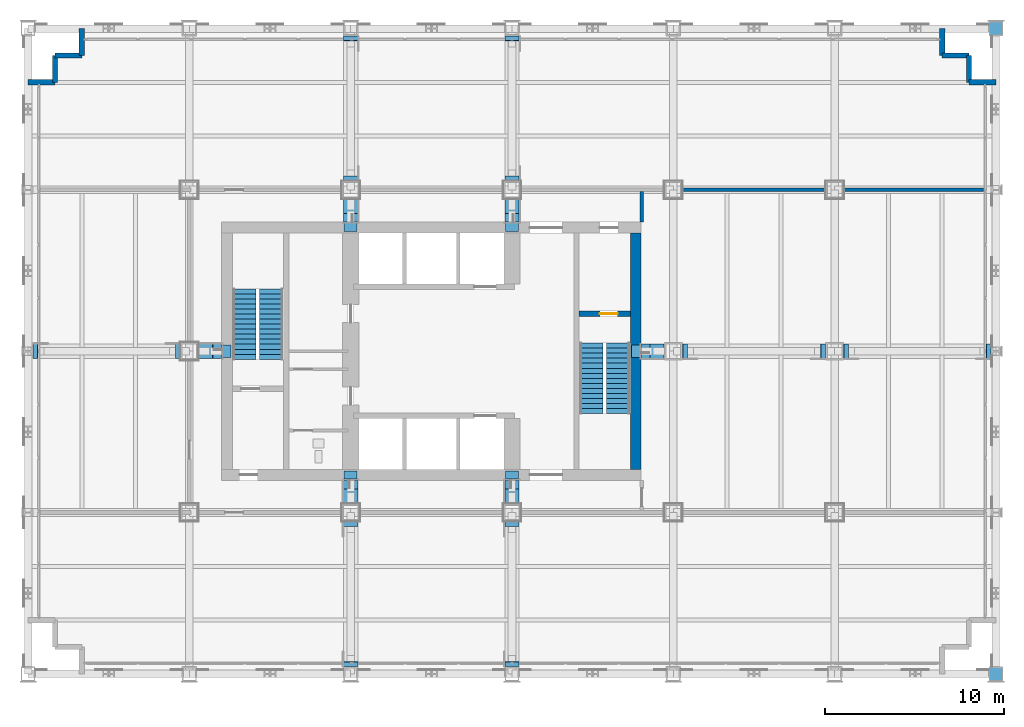
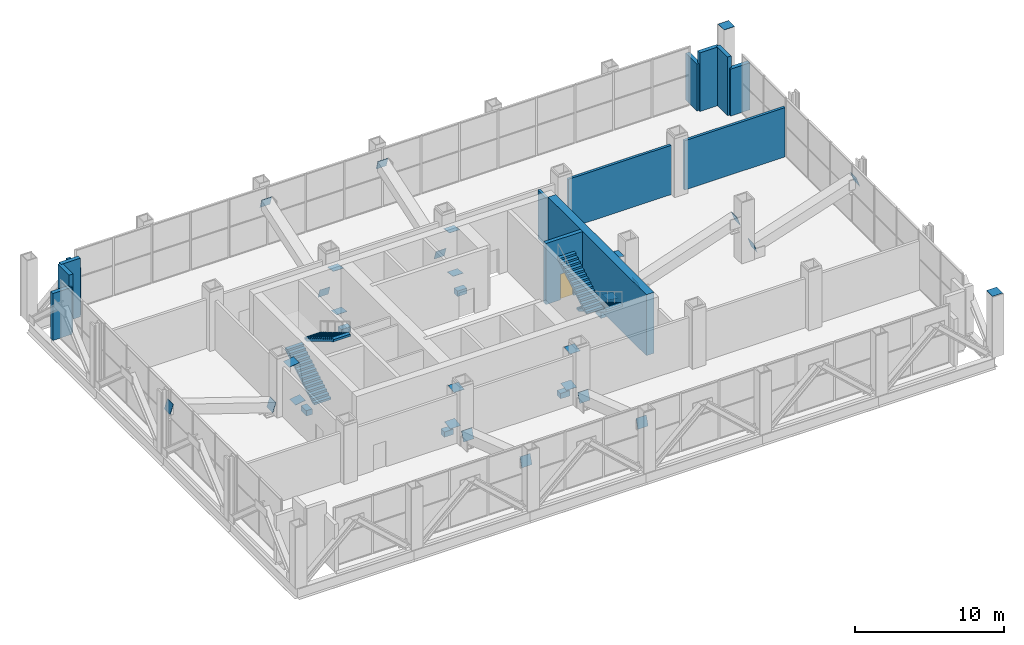
# One storey, part 17 of 19: 34 discrete accessories, 13 walls, 4 stair flights, 1 door, 1 opening, 2 elements without a shape of their own.
"""IFC4 building model written with IfcOpenShell, lengths in metres."""

from ifc_helpers import new_model, si_unit, direction, frame, frame_2d, origin, origin_2d, place, context, subcontext, project, spatial, polyline, rectangle, outline, extrude, material, layer, layer_set, type_object, element, fill, aggregate, save


model = new_model("IFC4")

# Units and contexts
model_context = context("Model", 3, precision=1e-05, world=origin(), true_north=direction((0.0, 1.0)))
body_context = subcontext(model_context, "Body", "Model", "MODEL_VIEW")
ifc_project = project(units=[si_unit("LENGTHUNIT", "METRE"), si_unit("AREAUNIT", "SQUARE_METRE"), si_unit("VOLUMEUNIT", "CUBIC_METRE"), si_unit("PLANEANGLEUNIT", "RADIAN"), si_unit("MASSUNIT", "GRAM", prefix="KILO")], contexts=[model_context])

# Site, building, storey
site_placement = place(None, origin())
site = spatial("IfcSite", under=ifc_project, at=site_placement, CompositionType="ELEMENT")
building_placement = place(site_placement, origin())
building = spatial("IfcBuilding", under=site, at=building_placement, Name="Loomwork Tower", CompositionType="ELEMENT")
storey_placement = place(building_placement, frame((0.0, 0.0, 89.199951171875)))
storey = spatial("IfcBuildingStorey", under=building, at=storey_placement, Name="L23", CompositionType="ELEMENT", Elevation=89.199951171875)

# Wall, opening, door
ifc_material_1 = material(Name="Concrete 14000 psi (97 MPa)", Category="concrete")
ifc_layer_1 = layer(ifc_material_1, 0.300048828125)
ifc_layer_set_1 = layer_set([ifc_layer_1], Name="Core shear wall 300")
wall_type_1 = type_object("IfcWallType", Name="Core shear wall 300", PredefinedType="SHEAR", material=ifc_layer_set_1)
wall_1_placement = place(storey_placement, frame((30.75, 20.10009765625, 0.0), z_axis=(0.0, 0.0, 1.0), x_axis=(1.0, 0.0, 0.0)))
wall_1 = element("IfcWall", 1, at=wall_1_placement, inside=storey, type_object=wall_type_1, Name="Stair B north wall L23", PredefinedType="SHEAR", context=body_context, shape_type="SweptSolid", body=[
    extrude(rectangle(XDim=2.85009765625, YDim=0.300048828125, at=frame_2d((1.425048828125, 0.0))), origin(), (0.0, 0.0, 1.0), 5.0),
])
opening_placement = place(wall_1_placement, frame((1.14990234375, 0.0, 0.0)))
opening = element("IfcOpeningElement", 2, at=opening_placement, cuts=wall_1, Name="Opening D4", PredefinedType="OPENING", context=body_context, shape_type="SweptSolid", body=[
    extrude(rectangle(XDim=1.0, YDim=2.10009765625, at=frame_2d((0.5, 1.050048828125))), frame((0.0, 0.159912109375, 0.0), z_axis=(0.0, -1.0, 0.0), x_axis=(1.0, 0.0, 0.0)), (0.0, 0.0, 1.0), 0.320068359375),
])
ifc_material_2 = material(Name="Hollow metal door and frame")
door_type = type_object("IfcDoorType", Name="Stair door 1000", OperationType="SINGLE_SWING_RIGHT", PredefinedType="DOOR", material=ifc_material_2)
door_placement = place(opening_placement, frame((1.0, 0.0, 0.0), z_axis=(0.0, 0.0, 1.0), x_axis=(-1.0, 0.0, 0.0)))
door = element("IfcDoor", 3, at=door_placement, inside=storey, type_object=door_type, Name="Stair B door", OperationType="SINGLE_SWING_LEFT", OverallHeight=2.10009765625, OverallWidth=1.0, PredefinedType="DOOR", context=body_context, shape_type="SweptSolid", body=[
    extrude(rectangle(XDim=1.0, YDim=2.10009765625, at=frame_2d((0.5, 1.050048828125))), frame((0.0, 0.02490234375, 0.0), z_axis=(0.0, -1.0, 0.0), x_axis=(1.0, 0.0, 0.0)), (0.0, 0.0, 1.0), 0.050048828125),
])
fill(opening, door)

# Walls
ifc_material_3 = material(Name="Concrete 14000 psi (97 MPa)", Category="concrete")
ifc_layer_2 = layer(ifc_material_3, 0.60009765625)
ifc_layer_set_2 = layer_set([ifc_layer_2], Name="Core shear wall 600")
wall_type_2 = type_object("IfcWallType", Name="Core shear wall 600", PredefinedType="SHEAR", material=ifc_layer_set_2)
wall_2_placement = place(storey_placement, frame((33.89990234375, 11.39990234375, 0.0), z_axis=(0.0, 0.0, 1.0), x_axis=(0.0, 1.0, 0.0)))
element("IfcWall", 4, at=wall_2_placement, inside=storey, type_object=wall_type_2, Name="Core wall east L23", PredefinedType="SHEAR", context=body_context, shape_type="SweptSolid", body=[
    extrude(rectangle(XDim=13.2001953125, YDim=0.60009765625, at=frame_2d((6.60009765625, 0.0))), origin(), (0.0, 0.0, 1.0), 5.0),
])
ifc_material_4 = material(Name="Gypsum board on steel studs, one-hour", Category="steel")
ifc_layer_3 = layer(ifc_material_4, 0.199951171875)
ifc_layer_set_3 = layer_set([ifc_layer_3], Name="Corridor wall 200")
wall_type_3 = type_object("IfcWallType", Name="Corridor wall 200", PredefinedType="PARTITIONING", material=ifc_layer_set_3)
wall_3_placement = place(storey_placement, frame((36.5, 27.0, 0.0), z_axis=(0.0, 0.0, 1.0), x_axis=(1.0, 0.0, 0.0)))
element("IfcWall", 5, at=wall_3_placement, inside=storey, type_object=wall_type_3, Name="Plant corridor wall N 4", PredefinedType="PARTITIONING", context=body_context, shape_type="SweptSolid", body=[
    extrude(rectangle(XDim=8.0, YDim=0.199951171875, at=frame_2d((4.0, 0.0))), origin(), (0.0, 0.0, 1.0), 4.0380859375),
])
wall_4_placement = place(storey_placement, frame((45.5, 27.0, 0.0), z_axis=(0.0, 0.0, 1.0), x_axis=(1.0, 0.0, 0.0)))
element("IfcWall", 6, at=wall_4_placement, inside=storey, type_object=wall_type_3, Name="Plant corridor wall N 5", PredefinedType="PARTITIONING", context=body_context, shape_type="SweptSolid", body=[
    extrude(rectangle(XDim=7.800048828125, YDim=0.199951171875, at=frame_2d((3.89990234375, 0.0))), origin(), (0.0, 0.0, 1.0), 4.0380859375),
])
wall_5_placement = place(storey_placement, frame((34.239990234375, 25.199951171875, 0.0), z_axis=(0.0, 0.0, 1.0), x_axis=(0.0, 1.0, 0.0)))
element("IfcWall", 7, at=wall_5_placement, inside=storey, type_object=wall_type_3, Name="Plant corridor end wall N 1", PredefinedType="PARTITIONING", context=body_context, shape_type="SweptSolid", body=[
    extrude(rectangle(XDim=1.699951171875, YDim=0.199951171875, at=frame_2d((0.85009765625, 0.0))), origin(), (0.0, 0.0, 1.0), 4.004150390625),
])
ifc_material_5 = material(Name="Limestone on concrete masonry", Category="masonry")
ifc_layer_4 = layer(ifc_material_5, 0.300048828125)
ifc_layer_set_4 = layer_set([ifc_layer_4], Name="Limestone corner wall 300")
wall_type_4 = type_object("IfcWallType", Name="Limestone corner wall 300", PredefinedType="SOLIDWALL", material=ifc_layer_set_4)
wall_6_placement = place(storey_placement, frame((54.0, 33.0, 0.0), z_axis=(0.0, 0.0, 1.0), x_axis=(-1.0, 0.0, 0.0)))
element("IfcWall", 8, at=wall_6_placement, inside=storey, type_object=wall_type_4, Name="Stone corner wall NE 1", PredefinedType="SOLIDWALL", context=body_context, shape_type="SweptSolid", body=[
    extrude(rectangle(XDim=1.5, YDim=0.300048828125, at=frame_2d((0.75, 0.0))), origin(), (0.0, 0.0, 1.0), 3.85205078125),
])
for number, where, z_axis, x_axis, name in (
    (9, (52.5, 33.0, 0.0), (0.0, 0.0, 1.0), (0.0, 1.0, 0.0), "Stone corner wall NE 2"),
    (10, (52.5, 34.5, 0.0), (0.0, 0.0, 1.0), (-1.0, 0.0, 0.0), "Stone corner wall NE 3"),
):
    element("IfcWall", number, at=place(storey_placement, frame(where, z_axis=z_axis, x_axis=x_axis)), inside=storey, type_object=wall_type_4, Name=name, PredefinedType="SOLIDWALL", context=body_context, shape_type="SweptSolid", body=[
        extrude(rectangle(XDim=1.5, YDim=0.300048828125, at=frame_2d((0.75, 0.0))), origin(), (0.0, 0.0, 1.0), 4.800048828125),
    ])
for number, where, z_axis, x_axis, name in (
    (11, (51.0, 34.5, 0.0), (0.0, 0.0, 1.0), (0.0, 1.0, 0.0), "Stone corner wall NE 4"),
    (12, (3.0, 36.0, 0.0), (0.0, 0.0, 1.0), (0.0, -1.0, 0.0), "Stone corner wall NW 1"),
):
    element("IfcWall", number, at=place(storey_placement, frame(where, z_axis=z_axis, x_axis=x_axis)), inside=storey, type_object=wall_type_4, Name=name, PredefinedType="SOLIDWALL", context=body_context, shape_type="SweptSolid", body=[
        extrude(rectangle(XDim=1.5, YDim=0.300048828125, at=frame_2d((0.75, 0.0))), origin(), (0.0, 0.0, 1.0), 3.85205078125),
    ])
for number, where, z_axis, x_axis, name in (
    (13, (3.0, 34.5, 0.0), (0.0, 0.0, 1.0), (-1.0, 0.0, 0.0), "Stone corner wall NW 2"),
    (14, (1.5, 34.5, 0.0), (0.0, 0.0, 1.0), (0.0, -1.0, 0.0), "Stone corner wall NW 3"),
):
    element("IfcWall", number, at=place(storey_placement, frame(where, z_axis=z_axis, x_axis=x_axis)), inside=storey, type_object=wall_type_4, Name=name, PredefinedType="SOLIDWALL", context=body_context, shape_type="SweptSolid", body=[
        extrude(rectangle(XDim=1.5, YDim=0.300048828125, at=frame_2d((0.75, 0.0))), origin(), (0.0, 0.0, 1.0), 4.800048828125),
    ])
wall_7_placement = place(storey_placement, frame((1.5, 33.0, 0.0), z_axis=(0.0, 0.0, 1.0), x_axis=(-1.0, 0.0, 0.0)))
element("IfcWall", 15, at=wall_7_placement, inside=storey, type_object=wall_type_4, Name="Stone corner wall NW 4", PredefinedType="SOLIDWALL", context=body_context, shape_type="SweptSolid", body=[
    extrude(rectangle(XDim=1.5, YDim=0.300048828125, at=frame_2d((0.75, 0.0))), origin(), (0.0, 0.0, 1.0), 3.85205078125),
])

# Stair, stair flights
ifc_material_6 = material(Name="Concrete 5000 psi (34 MPa) precast stair", Category="concrete")
stair_type_1 = type_object("IfcStairType", Name="Stair ST-A 30 risers 2850 wide", PredefinedType="HALF_TURN_STAIR", material=ifc_material_6)
stair_1_placement = place(storey_placement, origin())
stair_1 = element("IfcStair", 16, at=stair_1_placement, inside=storey, type_object=stair_type_1, Name="Stair A L23", PredefinedType="HALF_TURN_STAIR")
ifc_material_7 = material(Name="Concrete 5000 psi (34 MPa) precast stair", Category="concrete")
stair_flight_type_1 = type_object("IfcStairFlightType", Name="Stair flight ST-A 15 risers 1300 wide", PredefinedType="STRAIGHT", material=ifc_material_7)
stair_flight_1_placement = place(storey_placement, frame((12.074951171875, 17.550048828125, 0.0), z_axis=(0.0, 0.0, 1.0), x_axis=(0.0, 1.0, 0.0)))
stair_flight_1 = element("IfcStairFlight", 17, at=stair_flight_1_placement, type_object=stair_flight_type_1, Name="ST-A flight 1", NumberOfRisers=15, NumberOfTreads=14, PredefinedType="STRAIGHT", RiserHeight=0.166666667, TreadLength=0.28, context=body_context, shape_type="SweptSolid", body=[
    extrude(outline(polyline([(0.0, 0.0), (0.0, 0.166748046875), (0.280029296875, 0.166748046875), (0.280029296875, 0.333251953125), (0.56005859375, 0.333251953125), (0.56005859375, 0.5), (0.840087890625, 0.5), (0.840087890625, 0.666748046875), (1.1201171875, 0.666748046875), (1.1201171875, 0.833251953125), (1.39990234375, 0.833251953125), (1.39990234375, 1.0), (1.679931640625, 1.0), (1.679931640625, 1.166748046875), (1.9599609375, 1.166748046875), (1.9599609375, 1.333251953125), (2.239990234375, 1.333251953125), (2.239990234375, 1.5), (2.52001953125, 1.5), (2.52001953125, 1.666748046875), (2.800048828125, 1.666748046875), (2.800048828125, 1.833251953125), (3.080078125, 1.833251953125), (3.080078125, 2.0), (3.360107421875, 2.0), (3.360107421875, 2.166748046875), (3.639892578125, 2.166748046875), (3.639892578125, 2.333251953125), (3.919921875, 2.333251953125), (3.919921875, 2.5), (3.919921875, 2.158935546875), (0.29296875, 0.0), (0.0, 0.0)])), frame((0.0, 0.64990234375, 0.0), z_axis=(0.0, -1.0, 0.0), x_axis=(1.0, 0.0, 0.0)), (0.0, 0.0, 1.0), 1.300048828125),
])
stair_flight_2_placement = place(storey_placement, frame((13.574951171875, 21.469970703125, 2.5), z_axis=(0.0, 0.0, 1.0), x_axis=(0.0, -1.0, 0.0)))
stair_flight_2 = element("IfcStairFlight", 18, at=stair_flight_2_placement, type_object=stair_flight_type_1, Name="ST-A flight 2", NumberOfRisers=15, NumberOfTreads=14, PredefinedType="STRAIGHT", RiserHeight=0.166666667, TreadLength=0.28, context=body_context, shape_type="SweptSolid", body=[
    extrude(outline(polyline([(0.0, 0.0), (0.0, 0.166748046875), (0.280029296875, 0.166748046875), (0.280029296875, 0.333251953125), (0.56005859375, 0.333251953125), (0.56005859375, 0.5), (0.840087890625, 0.5), (0.840087890625, 0.666748046875), (1.1201171875, 0.666748046875), (1.1201171875, 0.833251953125), (1.39990234375, 0.833251953125), (1.39990234375, 1.0), (1.679931640625, 1.0), (1.679931640625, 1.166748046875), (1.9599609375, 1.166748046875), (1.9599609375, 1.333251953125), (2.239990234375, 1.333251953125), (2.239990234375, 1.5), (2.52001953125, 1.5), (2.52001953125, 1.666748046875), (2.800048828125, 1.666748046875), (2.800048828125, 1.833251953125), (3.080078125, 1.833251953125), (3.080078125, 2.0), (3.360107421875, 2.0), (3.360107421875, 2.166748046875), (3.639892578125, 2.166748046875), (3.639892578125, 2.333251953125), (3.919921875, 2.333251953125), (3.919921875, 2.5), (3.919921875, 2.158935546875), (0.29296875, 0.0), (0.0, 0.0)])), frame((0.0, 0.64990234375, 0.0), z_axis=(0.0, -1.0, 0.0), x_axis=(1.0, 0.0, 0.0)), (0.0, 0.0, 1.0), 1.300048828125),
])
aggregate(stair_1, [stair_flight_1, stair_flight_2])

ifc_material_8 = material(Name="Concrete 5000 psi (34 MPa) precast stair", Category="concrete")
stair_type_2 = type_object("IfcStairType", Name="Stair ST-B 30 risers 2850 wide", PredefinedType="HALF_TURN_STAIR", material=ifc_material_8)
stair_2_placement = place(storey_placement, origin())
stair_2 = element("IfcStair", 19, at=stair_2_placement, inside=storey, type_object=stair_type_2, Name="Stair B L23", PredefinedType="HALF_TURN_STAIR")
ifc_material_9 = material(Name="Concrete 5000 psi (34 MPa) precast stair", Category="concrete")
stair_flight_type_2 = type_object("IfcStairFlightType", Name="Stair flight ST-B 15 risers 1300 wide", PredefinedType="STRAIGHT", material=ifc_material_9)
stair_flight_3_placement = place(storey_placement, frame((32.925048828125, 18.449951171875, 0.0), z_axis=(0.0, 0.0, 1.0), x_axis=(0.0, -1.0, 0.0)))
stair_flight_3 = element("IfcStairFlight", 20, at=stair_flight_3_placement, type_object=stair_flight_type_2, Name="ST-B flight 1", NumberOfRisers=15, NumberOfTreads=14, PredefinedType="STRAIGHT", RiserHeight=0.166666667, TreadLength=0.28, context=body_context, shape_type="SweptSolid", body=[
    extrude(outline(polyline([(0.0, 0.0), (0.0, 0.166748046875), (0.280029296875, 0.166748046875), (0.280029296875, 0.333251953125), (0.56005859375, 0.333251953125), (0.56005859375, 0.5), (0.840087890625, 0.5), (0.840087890625, 0.666748046875), (1.1201171875, 0.666748046875), (1.1201171875, 0.833251953125), (1.39990234375, 0.833251953125), (1.39990234375, 1.0), (1.679931640625, 1.0), (1.679931640625, 1.166748046875), (1.9599609375, 1.166748046875), (1.9599609375, 1.333251953125), (2.239990234375, 1.333251953125), (2.239990234375, 1.5), (2.52001953125, 1.5), (2.52001953125, 1.666748046875), (2.800048828125, 1.666748046875), (2.800048828125, 1.833251953125), (3.080078125, 1.833251953125), (3.080078125, 2.0), (3.360107421875, 2.0), (3.360107421875, 2.166748046875), (3.639892578125, 2.166748046875), (3.639892578125, 2.333251953125), (3.919921875, 2.333251953125), (3.919921875, 2.5), (3.919921875, 2.158935546875), (0.29296875, 0.0), (0.0, 0.0)])), frame((0.0, 0.64990234375, 0.0), z_axis=(0.0, -1.0, 0.0), x_axis=(1.0, 0.0, 0.0)), (0.0, 0.0, 1.0), 1.300048828125),
])
stair_flight_4_placement = place(storey_placement, frame((31.425048828125, 14.530029296875, 2.5), z_axis=(0.0, 0.0, 1.0), x_axis=(0.0, 1.0, 0.0)))
stair_flight_4 = element("IfcStairFlight", 21, at=stair_flight_4_placement, type_object=stair_flight_type_2, Name="ST-B flight 2", NumberOfRisers=15, NumberOfTreads=14, PredefinedType="STRAIGHT", RiserHeight=0.166666667, TreadLength=0.28, context=body_context, shape_type="SweptSolid", body=[
    extrude(outline(polyline([(0.0, 0.0), (0.0, 0.166748046875), (0.280029296875, 0.166748046875), (0.280029296875, 0.333251953125), (0.56005859375, 0.333251953125), (0.56005859375, 0.5), (0.840087890625, 0.5), (0.840087890625, 0.666748046875), (1.1201171875, 0.666748046875), (1.1201171875, 0.833251953125), (1.39990234375, 0.833251953125), (1.39990234375, 1.0), (1.679931640625, 1.0), (1.679931640625, 1.166748046875), (1.9599609375, 1.166748046875), (1.9599609375, 1.333251953125), (2.239990234375, 1.333251953125), (2.239990234375, 1.5), (2.52001953125, 1.5), (2.52001953125, 1.666748046875), (2.800048828125, 1.666748046875), (2.800048828125, 1.833251953125), (3.080078125, 1.833251953125), (3.080078125, 2.0), (3.360107421875, 2.0), (3.360107421875, 2.166748046875), (3.639892578125, 2.166748046875), (3.639892578125, 2.333251953125), (3.919921875, 2.333251953125), (3.919921875, 2.5), (3.919921875, 2.158935546875), (0.29296875, 0.0), (0.0, 0.0)])), frame((0.0, 0.64990234375, 0.0), z_axis=(0.0, -1.0, 0.0), x_axis=(1.0, 0.0, 0.0)), (0.0, 0.0, 1.0), 1.300048828125),
])
aggregate(stair_2, [stair_flight_3, stair_flight_4])

# Discrete accessories
ifc_material_10 = material(Name="Steel ASTM A706 Grade 60", Category="steel")
discrete_accessory_type_1 = type_object("IfcDiscreteAccessoryType", Name="Outrigger core-wall anchor bar group", PredefinedType="USERDEFINED", material=ifc_material_10)
discrete_accessory_1_placement = place(storey_placement, frame((27.0, 11.089111328125, -0.76953125), z_axis=(0.0, 0.0, 1.0), x_axis=(1.0, 0.0, 0.0)))
element("IfcDiscreteAccessory", 22, at=discrete_accessory_1_placement, inside=storey, type_object=discrete_accessory_type_1, Name="Outrigger core-wall anchor bar group 27,9-27,11.1 L23", ObjectType="ANCHOR BAR GROUP", PredefinedType="USERDEFINED", context=body_context, shape_type="SweptSolid", body=[
    extrude(rectangle(XDim=0.719970703125, YDim=0.4599609375, at=origin_2d()), origin(), (0.0, 0.0, 1.0), 0.43994140625),
])
discrete_accessory_2_placement = place(storey_placement, frame((33.910888671875, 18.0, -0.76953125), z_axis=(0.0, 0.0, 1.0), x_axis=(1.0, 0.0, 0.0)))
element("IfcDiscreteAccessory", 23, at=discrete_accessory_2_placement, inside=storey, type_object=discrete_accessory_type_1, Name="Outrigger core-wall anchor bar group 36,18-33.9,18 L23", ObjectType="ANCHOR BAR GROUP", PredefinedType="USERDEFINED", context=body_context, shape_type="SweptSolid", body=[
    extrude(rectangle(XDim=0.4599609375, YDim=0.719970703125, at=origin_2d()), origin(), (0.0, 0.0, 1.0), 0.43994140625),
])
for number, where, z_axis, x_axis, name in (
    (24, (27.0, 24.910888671875, -0.76953125), (0.0, 0.0, 1.0), (1.0, 0.0, 0.0), "Outrigger core-wall anchor bar group 27,27-27,24.9 L23"),
    (25, (18.0, 11.089111328125, -0.76953125), (0.0, 0.0, 1.0), (1.0, 0.0, 0.0), "Outrigger core-wall anchor bar group 18,9-18,11.1 L23"),
    (26, (18.0, 24.910888671875, -0.76953125), (0.0, 0.0, 1.0), (1.0, 0.0, 0.0), "Outrigger core-wall anchor bar group 18,27-18,24.9 L23"),
):
    element("IfcDiscreteAccessory", number, at=place(storey_placement, frame(where, z_axis=z_axis, x_axis=x_axis)), inside=storey, type_object=discrete_accessory_type_1, Name=name, ObjectType="ANCHOR BAR GROUP", PredefinedType="USERDEFINED", context=body_context, shape_type="SweptSolid", body=[
        extrude(rectangle(XDim=0.719970703125, YDim=0.4599609375, at=origin_2d()), origin(), (0.0, 0.0, 1.0), 0.43994140625),
    ])
discrete_accessory_3_placement = place(storey_placement, frame((11.089111328125, 18.0, -0.76953125), z_axis=(0.0, 0.0, 1.0), x_axis=(1.0, 0.0, 0.0)))
element("IfcDiscreteAccessory", 27, at=discrete_accessory_3_placement, inside=storey, type_object=discrete_accessory_type_1, Name="Outrigger core-wall anchor bar group 9,18-11.1,18 L23", ObjectType="ANCHOR BAR GROUP", PredefinedType="USERDEFINED", context=body_context, shape_type="SweptSolid", body=[
    extrude(rectangle(XDim=0.4599609375, YDim=0.719970703125, at=origin_2d()), origin(), (0.0, 0.0, 1.0), 0.43994140625),
])
ifc_material_11 = material(Name="Steel ASTM A572 Grade 50", Category="steel")
ifc_layer_5 = layer(ifc_material_11, 0.02490234375)
ifc_layer_set_5 = layer_set([ifc_layer_5], Name="Steel end cap plate 25")
discrete_accessory_type_2 = type_object("IfcDiscreteAccessoryType", Name="Steel end cap plate 25", PredefinedType="USERDEFINED", material=ifc_layer_set_5)
for number, where, z_axis, x_axis, name in (
    (28, (54.0, 0.0, 4.9990234375), (0.0, 0.0, 1.0), (1.0, 0.0, 0.0), "Column end cap plate Exoskeleton Pier D/8 L23"),
    (29, (54.0, 36.0, 4.9990234375), (0.0, 0.0, 1.0), (1.0, 0.0, 0.0), "Column end cap plate Exoskeleton Pier H/8 L23"),
    (30, (0.427978515625, 18.0, 3.45556640625), (-0.949657780128, 0.0, 0.313289164578), (0.0, -1.0, 0.0), "Outrigger diagonal end seal plate F/2/0 p0"),
):
    element("IfcDiscreteAccessory", number, at=place(storey_placement, frame(where, z_axis=z_axis, x_axis=x_axis)), inside=storey, type_object=discrete_accessory_type_2, Name=name, ObjectType="END PLATE", PredefinedType="USERDEFINED", context=body_context, shape_type="SweptSolid", body=[
        extrude(rectangle(XDim=0.800048828125, YDim=0.800048828125, at=origin_2d()), origin(), (0.0, 0.0, 1.0), 0.02490234375),
    ])
for number, where, z_axis, x_axis, name in (
    (31, (8.34619140625, 18.0, 0.83740234375), (0.950605456491, 0.0, -0.310401781711), (0.0, 1.0, 0.0), "Outrigger diagonal end seal plate F/2/0 p1"),
    (32, (9.91015625, 18.0, 3.76513671875), (-0.145493990495, 0.0, 0.989359135365), (0.0, -1.0, 0.0), "Outrigger diagonal end seal plate F/3/1 p0"),
):
    element("IfcDiscreteAccessory", number, at=place(storey_placement, frame(where, z_axis=z_axis, x_axis=x_axis)), inside=storey, type_object=discrete_accessory_type_2, Name=name, ObjectType="END PLATE", PredefinedType="USERDEFINED", context=body_context, shape_type="SweptSolid", body=[
        extrude(rectangle(XDim=0.800048828125, YDim=0.800048828125, at=origin_2d()), origin(), (0.0, 0.0, 1.0), 0.025146484375),
    ])
for number, where, z_axis, x_axis, name in (
    (33, (10.389892578125, 18.0, 0.52783203125), (0.146903586496, 0.0, -0.989150815738), (0.0, 1.0, 0.0), "Outrigger diagonal end seal plate F/3/1 p1"),
    (34, (53.572021484375, 18.0, 3.45556640625), (0.949657780128, 0.0, 0.313289164578), (0.0, 1.0, 0.0), "Outrigger diagonal end seal plate F/8/0 p0"),
):
    element("IfcDiscreteAccessory", number, at=place(storey_placement, frame(where, z_axis=z_axis, x_axis=x_axis)), inside=storey, type_object=discrete_accessory_type_2, Name=name, ObjectType="END PLATE", PredefinedType="USERDEFINED", context=body_context, shape_type="SweptSolid", body=[
        extrude(rectangle(XDim=0.800048828125, YDim=0.800048828125, at=origin_2d()), origin(), (0.0, 0.0, 1.0), 0.02490234375),
    ])
discrete_accessory_4_placement = place(storey_placement, frame((45.65380859375, 18.0, 0.83740234375), z_axis=(-0.950605456491, 0.0, -0.310401781711), x_axis=(0.0, -1.0, 0.0)))
element("IfcDiscreteAccessory", 35, at=discrete_accessory_4_placement, inside=storey, type_object=discrete_accessory_type_2, Name="Outrigger diagonal end seal plate F/8/0 p1", ObjectType="END PLATE", PredefinedType="USERDEFINED", context=body_context, shape_type="SweptSolid", body=[
    extrude(rectangle(XDim=0.800048828125, YDim=0.800048828125, at=origin_2d()), origin(), (0.0, 0.0, 1.0), 0.025146484375),
])
for number, where, z_axis, x_axis, name in (
    (36, (44.3427734375, 18.0, 3.45654296875), (0.94671323822, 0.0, 0.3220776996), (0.0, 1.0, 0.0), "Outrigger diagonal end seal plate F/7/1 p0"),
    (37, (36.6572265625, 18.0, 0.83642578125), (-0.94671323822, 0.0, -0.3220776996), (0.0, -1.0, 0.0), "Outrigger diagonal end seal plate F/7/1 p1"),
):
    element("IfcDiscreteAccessory", number, at=place(storey_placement, frame(where, z_axis=z_axis, x_axis=x_axis)), inside=storey, type_object=discrete_accessory_type_2, Name=name, ObjectType="END PLATE", PredefinedType="USERDEFINED", context=body_context, shape_type="SweptSolid", body=[
        extrude(rectangle(XDim=0.800048828125, YDim=0.800048828125, at=origin_2d()), origin(), (0.0, 0.0, 1.0), 0.02490234375),
    ])
discrete_accessory_5_placement = place(storey_placement, frame((35.08984375, 18.0, 3.76513671875), z_axis=(0.145493990495, 0.0, 0.989359135365), x_axis=(0.0, 1.0, 0.0)))
element("IfcDiscreteAccessory", 38, at=discrete_accessory_5_placement, inside=storey, type_object=discrete_accessory_type_2, Name="Outrigger diagonal end seal plate F/6/2 p0", ObjectType="END PLATE", PredefinedType="USERDEFINED", context=body_context, shape_type="SweptSolid", body=[
    extrude(rectangle(XDim=0.800048828125, YDim=0.800048828125, at=origin_2d()), origin(), (0.0, 0.0, 1.0), 0.025146484375),
])
for number, where, z_axis, x_axis, name in (
    (39, (34.610107421875, 18.0, 0.52783203125), (-0.146903586496, 0.0, -0.989150815738), (0.0, -1.0, 0.0), "Outrigger diagonal end seal plate F/6/2 p1"),
    (40, (18.0, 0.5556640625, 3.4560546875), (0.0, -0.949657780128, 0.313289164578), (1.0, 0.0, 0.0), "Outrigger diagonal end seal plate D/4/0 p0"),
    (41, (18.0, 8.344482421875, 0.8369140625), (0.0, 0.949657780128, -0.313289164578), (-1.0, 0.0, 0.0), "Outrigger diagonal end seal plate D/4/0 p1"),
):
    element("IfcDiscreteAccessory", number, at=place(storey_placement, frame(where, z_axis=z_axis, x_axis=x_axis)), inside=storey, type_object=discrete_accessory_type_2, Name=name, ObjectType="END PLATE", PredefinedType="USERDEFINED", context=body_context, shape_type="SweptSolid", body=[
        extrude(rectangle(XDim=0.800048828125, YDim=0.800048828125, at=origin_2d()), origin(), (0.0, 0.0, 1.0), 0.02490234375),
    ])
discrete_accessory_6_placement = place(storey_placement, frame((18.0, 9.91015625, 3.76513671875), z_axis=(0.0, -0.145493990495, 0.989359135365), x_axis=(1.0, 0.0, 0.0)))
element("IfcDiscreteAccessory", 42, at=discrete_accessory_6_placement, inside=storey, type_object=discrete_accessory_type_2, Name="Outrigger diagonal end seal plate E/4/1 p0", ObjectType="END PLATE", PredefinedType="USERDEFINED", context=body_context, shape_type="SweptSolid", body=[
    extrude(rectangle(XDim=0.800048828125, YDim=0.800048828125, at=origin_2d()), origin(), (0.0, 0.0, 1.0), 0.025146484375),
])
for number, where, z_axis, x_axis, name in (
    (43, (18.0, 10.389892578125, 0.52783203125), (0.0, 0.146903586496, -0.989150815738), (-1.0, 0.0, 0.0), "Outrigger diagonal end seal plate E/4/1 p1"),
    (44, (18.0, 35.4443359375, 3.4560546875), (0.0, 0.949657780128, 0.313289164578), (-1.0, 0.0, 0.0), "Outrigger diagonal end seal plate H/4/0 p0"),
    (45, (18.0, 27.655517578125, 0.8369140625), (0.0, -0.949657780128, -0.313289164578), (1.0, 0.0, 0.0), "Outrigger diagonal end seal plate H/4/0 p1"),
):
    element("IfcDiscreteAccessory", number, at=place(storey_placement, frame(where, z_axis=z_axis, x_axis=x_axis)), inside=storey, type_object=discrete_accessory_type_2, Name=name, ObjectType="END PLATE", PredefinedType="USERDEFINED", context=body_context, shape_type="SweptSolid", body=[
        extrude(rectangle(XDim=0.800048828125, YDim=0.800048828125, at=origin_2d()), origin(), (0.0, 0.0, 1.0), 0.02490234375),
    ])
discrete_accessory_7_placement = place(storey_placement, frame((18.0, 26.08984375, 3.76513671875), z_axis=(0.0, 0.145493990495, 0.989359135365), x_axis=(-1.0, 0.0, 0.0)))
element("IfcDiscreteAccessory", 46, at=discrete_accessory_7_placement, inside=storey, type_object=discrete_accessory_type_2, Name="Outrigger diagonal end seal plate G/4/1 p0", ObjectType="END PLATE", PredefinedType="USERDEFINED", context=body_context, shape_type="SweptSolid", body=[
    extrude(rectangle(XDim=0.800048828125, YDim=0.800048828125, at=origin_2d()), origin(), (0.0, 0.0, 1.0), 0.025146484375),
])
for number, where, z_axis, x_axis, name in (
    (47, (18.0, 25.610107421875, 0.52783203125), (0.0, -0.146903586496, -0.989150815738), (1.0, 0.0, 0.0), "Outrigger diagonal end seal plate G/4/1 p1"),
    (48, (27.0, 0.5556640625, 3.4560546875), (0.0, -0.949657780128, 0.313289164578), (1.0, 0.0, 0.0), "Outrigger diagonal end seal plate D/5/0 p0"),
    (49, (27.0, 8.344482421875, 0.8369140625), (0.0, 0.949657780128, -0.313289164578), (-1.0, 0.0, 0.0), "Outrigger diagonal end seal plate D/5/0 p1"),
):
    element("IfcDiscreteAccessory", number, at=place(storey_placement, frame(where, z_axis=z_axis, x_axis=x_axis)), inside=storey, type_object=discrete_accessory_type_2, Name=name, ObjectType="END PLATE", PredefinedType="USERDEFINED", context=body_context, shape_type="SweptSolid", body=[
        extrude(rectangle(XDim=0.800048828125, YDim=0.800048828125, at=origin_2d()), origin(), (0.0, 0.0, 1.0), 0.02490234375),
    ])
discrete_accessory_8_placement = place(storey_placement, frame((27.0, 9.91015625, 3.76513671875), z_axis=(0.0, -0.145493990495, 0.989359135365), x_axis=(1.0, 0.0, 0.0)))
element("IfcDiscreteAccessory", 50, at=discrete_accessory_8_placement, inside=storey, type_object=discrete_accessory_type_2, Name="Outrigger diagonal end seal plate E/5/1 p0", ObjectType="END PLATE", PredefinedType="USERDEFINED", context=body_context, shape_type="SweptSolid", body=[
    extrude(rectangle(XDim=0.800048828125, YDim=0.800048828125, at=origin_2d()), origin(), (0.0, 0.0, 1.0), 0.025146484375),
])
for number, where, z_axis, x_axis, name in (
    (51, (27.0, 10.389892578125, 0.52783203125), (0.0, 0.146903586496, -0.989150815738), (-1.0, 0.0, 0.0), "Outrigger diagonal end seal plate E/5/1 p1"),
    (52, (27.0, 35.4443359375, 3.4560546875), (0.0, 0.949657780128, 0.313289164578), (-1.0, 0.0, 0.0), "Outrigger diagonal end seal plate H/5/0 p0"),
    (53, (27.0, 27.655517578125, 0.8369140625), (0.0, -0.949657780128, -0.313289164578), (1.0, 0.0, 0.0), "Outrigger diagonal end seal plate H/5/0 p1"),
):
    element("IfcDiscreteAccessory", number, at=place(storey_placement, frame(where, z_axis=z_axis, x_axis=x_axis)), inside=storey, type_object=discrete_accessory_type_2, Name=name, ObjectType="END PLATE", PredefinedType="USERDEFINED", context=body_context, shape_type="SweptSolid", body=[
        extrude(rectangle(XDim=0.800048828125, YDim=0.800048828125, at=origin_2d()), origin(), (0.0, 0.0, 1.0), 0.02490234375),
    ])
discrete_accessory_9_placement = place(storey_placement, frame((27.0, 26.08984375, 3.76513671875), z_axis=(0.0, 0.145493990495, 0.989359135365), x_axis=(-1.0, 0.0, 0.0)))
element("IfcDiscreteAccessory", 54, at=discrete_accessory_9_placement, inside=storey, type_object=discrete_accessory_type_2, Name="Outrigger diagonal end seal plate G/5/1 p0", ObjectType="END PLATE", PredefinedType="USERDEFINED", context=body_context, shape_type="SweptSolid", body=[
    extrude(rectangle(XDim=0.800048828125, YDim=0.800048828125, at=origin_2d()), origin(), (0.0, 0.0, 1.0), 0.025146484375),
])
discrete_accessory_10_placement = place(storey_placement, frame((27.0, 25.610107421875, 0.52783203125), z_axis=(0.0, -0.146903586496, -0.989150815738), x_axis=(1.0, 0.0, 0.0)))
element("IfcDiscreteAccessory", 55, at=discrete_accessory_10_placement, inside=storey, type_object=discrete_accessory_type_2, Name="Outrigger diagonal end seal plate G/5/1 p1", ObjectType="END PLATE", PredefinedType="USERDEFINED", context=body_context, shape_type="SweptSolid", body=[
    extrude(rectangle(XDim=0.800048828125, YDim=0.800048828125, at=origin_2d()), origin(), (0.0, 0.0, 1.0), 0.02490234375),
])

save(model, "model.ifc")
